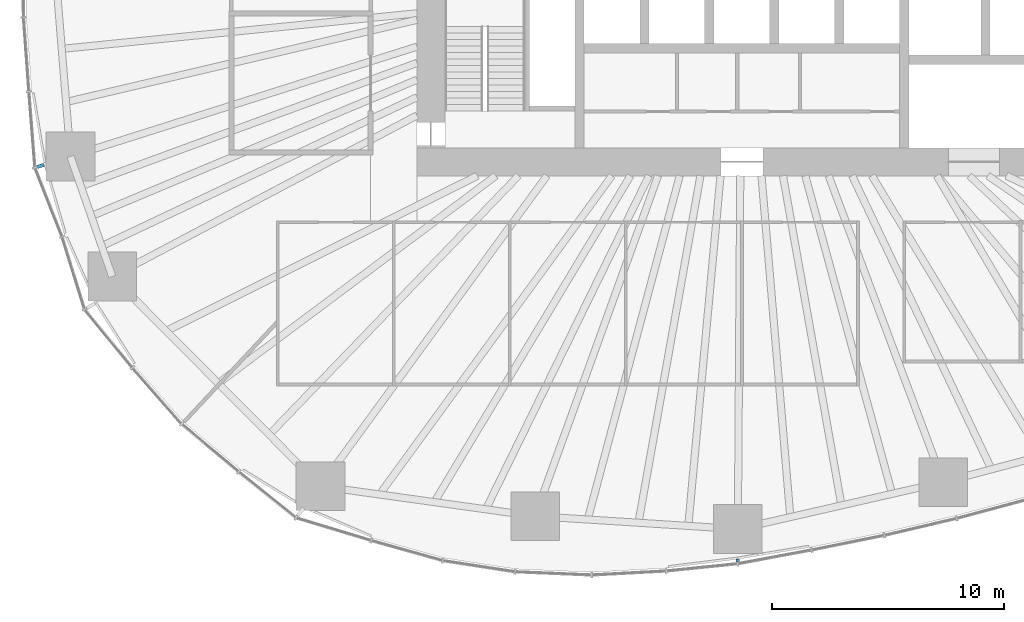
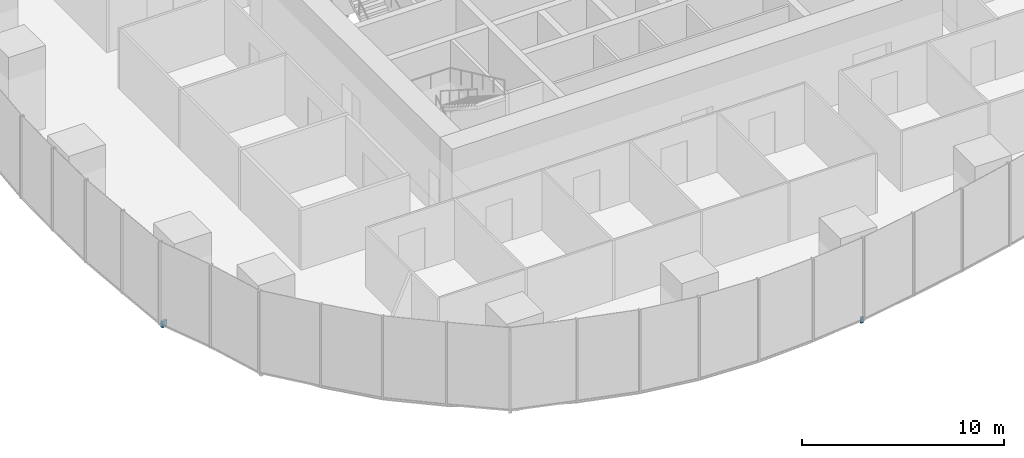
# One storey, part 13 of 20: 2 discrete accessories.
"""IFC4 building model written with IfcOpenShell, lengths in metres."""

from ifc_helpers import new_model, si_unit, direction, frame, origin, origin_2d, place, context, subcontext, project, spatial, rectangle, extrude, material, type_object, element, save


model = new_model("IFC4")

# Units and contexts
model_context = context("Model", 3, precision=1e-05, world=origin(), true_north=direction((0.0, 1.0)))
body_context = subcontext(model_context, "Body", "Model", "MODEL_VIEW")
ifc_project = project(units=[si_unit("LENGTHUNIT", "METRE"), si_unit("AREAUNIT", "SQUARE_METRE"), si_unit("VOLUMEUNIT", "CUBIC_METRE"), si_unit("PLANEANGLEUNIT", "RADIAN"), si_unit("MASSUNIT", "GRAM", prefix="KILO")], contexts=[model_context])

# Site, building, storey
site_placement = place(None, origin())
site = spatial("IfcSite", under=ifc_project, at=site_placement, CompositionType="ELEMENT")
building_placement = place(site_placement, origin())
building = spatial("IfcBuilding", under=site, at=building_placement, Name="Ghaith Harvest Tower", CompositionType="ELEMENT")
storey_placement = place(building_placement, frame((0.0, 0.0, 50.0)))
storey = spatial("IfcBuildingStorey", under=building, at=storey_placement, Name="L10", CompositionType="ELEMENT", Elevation=50.0)

# Discrete accessories
ifc_material_1 = material(Name="Stainless steel grade 1.4401", Category="steel")
discrete_accessory_type_1 = type_object("IfcDiscreteAccessoryType", Name="CURTAIN WALL BRACKET 315", PredefinedType="BRACKET", material=ifc_material_1)
discrete_accessory_1_placement = place(storey_placement, frame((-30.219482421875, -9.5771484375, -0.25), z_axis=(0.0, 0.0, 1.0), x_axis=(-0.953273219416, -0.302109531701, 0.0)))
element("IfcDiscreteAccessory", 1, at=discrete_accessory_1_placement, inside=storey, type_object=discrete_accessory_type_1, Name="CW-F bracket 1 bay 12 L10", PredefinedType="BRACKET", context=body_context, shape_type="SweptSolid", body=[
    extrude(rectangle(XDim=0.31494140625, YDim=0.14990234375, at=origin_2d()), origin(), (0.0, 0.0, 1.0), 0.35009765625),
])
ifc_material_2 = material(Name="Stainless steel grade 1.4401", Category="steel")
discrete_accessory_type_2 = type_object("IfcDiscreteAccessoryType", Name="CURTAIN WALL BRACKET 95", PredefinedType="BRACKET", material=ifc_material_2)
discrete_accessory_2_placement = place(storey_placement, frame((-0.181884765625, -26.569580078125, -0.25), z_axis=(0.0, 0.0, 1.0), x_axis=(-0.006843747957, -0.999976581283, 0.0)))
element("IfcDiscreteAccessory", 2, at=discrete_accessory_2_placement, inside=storey, type_object=discrete_accessory_type_2, Name="CW-F bracket 1 bay 16 L10", PredefinedType="BRACKET", context=body_context, shape_type="SweptSolid", body=[
    extrude(rectangle(XDim=0.094970703125, YDim=0.14990234375, at=origin_2d()), origin(), (0.0, 0.0, 1.0), 0.35009765625),
])

save(model, "model.ifc")
